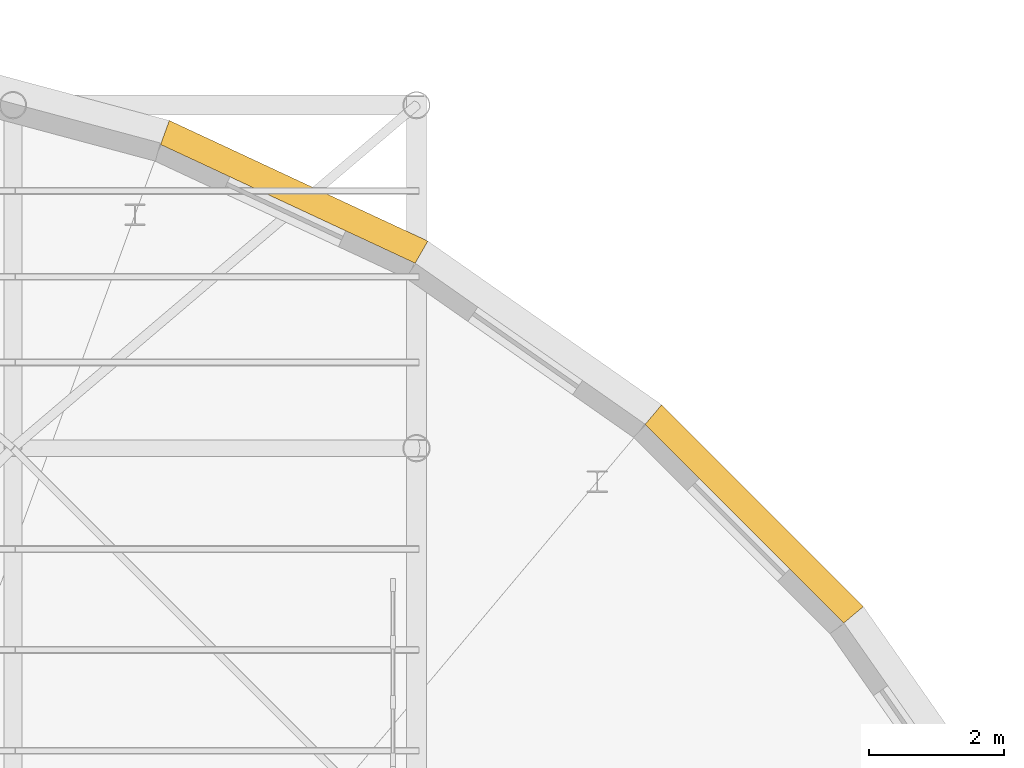
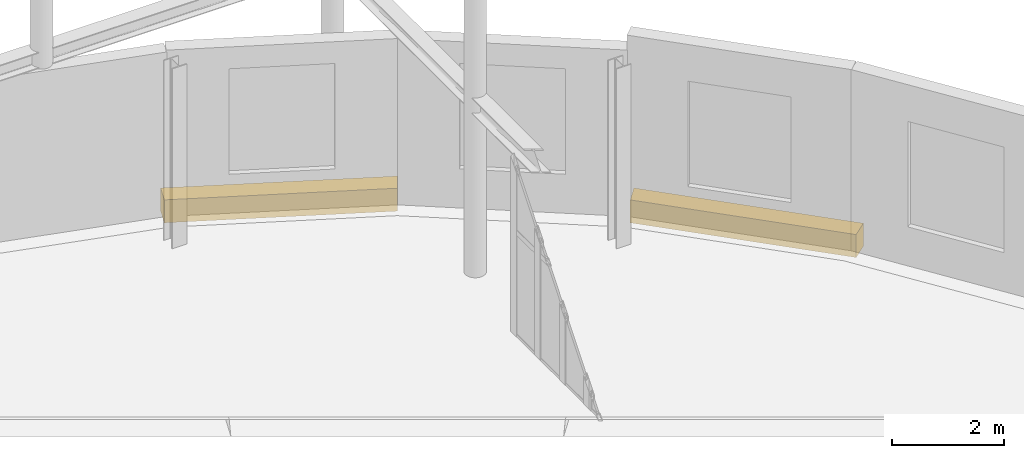
# One storey, part 75 of 75: 2 coverings.
"""IFC4 building model written with IfcOpenShell, lengths in metres."""

from ifc_helpers import new_model, si_unit, direction, frame, origin, place, context, subcontext, project, spatial, polyline, outline, extrude, material, layer, layer_set, type_object, element, save


model = new_model("IFC4")

# Units and contexts
model_context = context("Model", 3, precision=1e-05, world=origin(), true_north=direction((0.0, 1.0)))
body_context = subcontext(model_context, "Body", "Model", "MODEL_VIEW")
ifc_project = project(units=[si_unit("LENGTHUNIT", "METRE"), si_unit("AREAUNIT", "SQUARE_METRE"), si_unit("VOLUMEUNIT", "CUBIC_METRE"), si_unit("PLANEANGLEUNIT", "RADIAN"), si_unit("MASSUNIT", "GRAM", prefix="KILO")], contexts=[model_context])

# Site, building, storey
site_placement = place(None, origin())
site = spatial("IfcSite", under=ifc_project, at=site_placement, CompositionType="ELEMENT")
building_placement = place(site_placement, origin())
building = spatial("IfcBuilding", under=site, at=building_placement, Name="Kolvaren Corner Interchange", CompositionType="ELEMENT")
storey_placement = place(building_placement, frame((0.0, 0.0, 10.5)))
storey = spatial("IfcBuildingStorey", under=building, at=storey_placement, Name="L03", CompositionType="ELEMENT", Elevation=10.5)

# Coverings
ifc_material = material(Name="Glazed White Terracotta Fascia Cladding", Category="masonry")
ifc_layer = layer(ifc_material, 0.0400390625)
ifc_layer_set = layer_set([ifc_layer], Name="Glazed White Terracotta Fascia Cladding")
covering_type = type_object("IfcCoveringType", Name="COV-WHT-CLAD40", PredefinedType="CLADDING", material=ifc_layer_set)
covering_1_placement = place(storey_placement, frame((0.0, 0.0, -0.320068359375)))
element("IfcCovering", 1, at=covering_1_placement, inside=storey, type_object=covering_type, Name="Racetrack East L03 Sweeping White Edge Band 14", PredefinedType="CLADDING", context=body_context, shape_type="SweptSolid", body=[
    extrude(outline(polyline([(138.3544921875, 63.401123046875), (138.6455078125, 63.6455078125), (135.6455078125, 66.6455078125), (135.401123046875, 66.3544921875), (138.3544921875, 63.401123046875)])), origin(), (0.0, 0.0, 1.0), 0.5),
])
covering_2_placement = place(storey_placement, frame((0.0, 0.0, -0.320068359375)))
element("IfcCovering", 2, at=covering_2_placement, inside=storey, type_object=covering_type, Name="Racetrack East L03 Sweeping White Edge Band 16", PredefinedType="CLADDING", context=body_context, shape_type="SweptSolid", body=[
    extrude(outline(polyline([(131.97998046875, 68.75), (132.169921875, 69.0791015625), (128.32470703125, 70.8720703125), (128.19482421875, 70.514892578125), (131.97998046875, 68.75)])), origin(), (0.0, 0.0, 1.0), 0.5),
])

save(model, "model.ifc")
